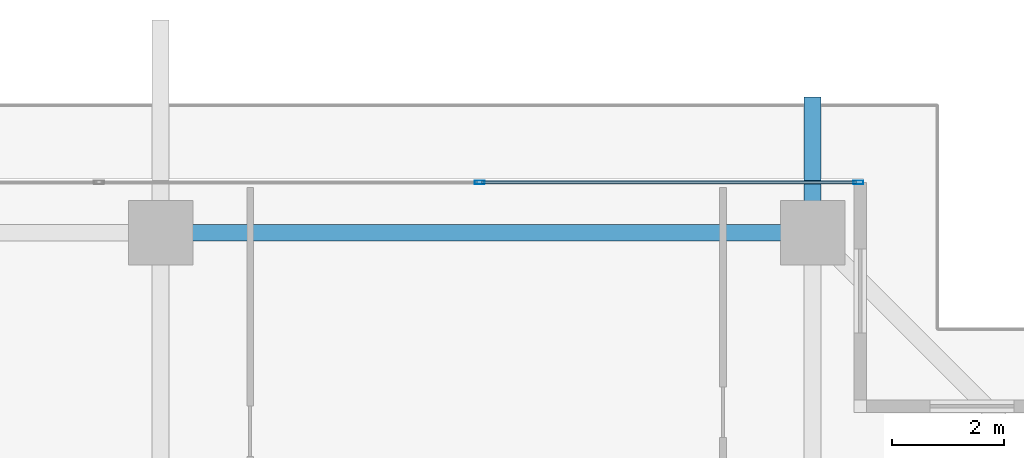
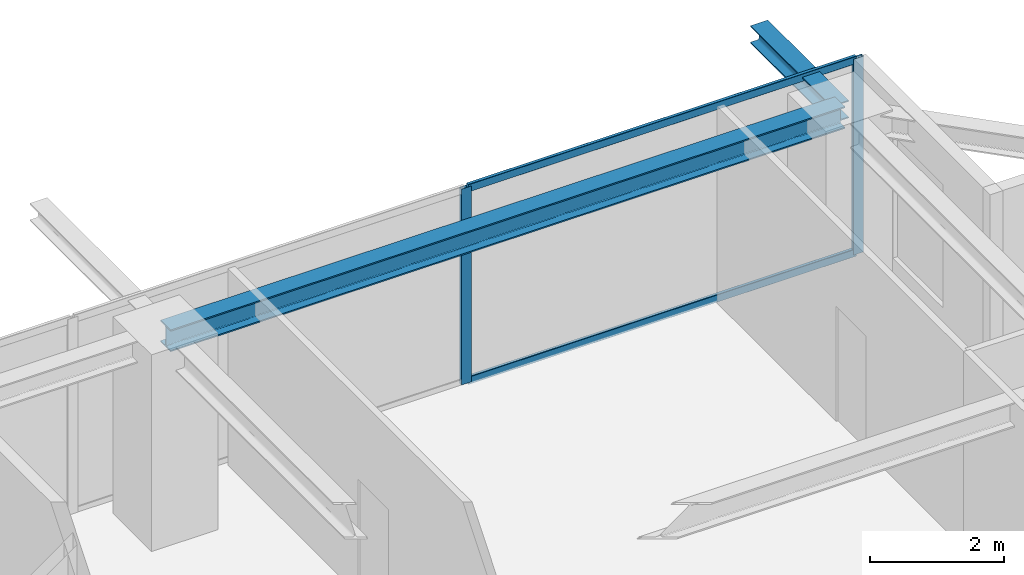
# One storey, part 24 of 37: 4 members, 2 beams, 1 element without a shape of its own.
"""IFC4 building model written with IfcOpenShell, lengths in metres."""

from ifc_helpers import new_model, si_unit, direction, frame, origin, origin_2d, place, context, subcontext, project, spatial, hollow_rectangle, i_section, extrude, source, transform, mapped, material, layer, layer_set, material_profile, profile_set, type_object, element, aggregate, save


model = new_model("IFC4")

# Units and contexts
model_context = context("Model", 3, precision=1e-05, world=origin(), true_north=direction((0.0, 1.0)))
body_context = subcontext(model_context, "Body", "Model", "MODEL_VIEW")
ifc_project = project(units=[si_unit("LENGTHUNIT", "METRE"), si_unit("AREAUNIT", "SQUARE_METRE"), si_unit("VOLUMEUNIT", "CUBIC_METRE"), si_unit("PLANEANGLEUNIT", "RADIAN"), si_unit("MASSUNIT", "GRAM", prefix="KILO")], contexts=[model_context])

# Site, building, storey
site_placement = place(None, origin())
site = spatial("IfcSite", under=ifc_project, at=site_placement, CompositionType="ELEMENT")
building_placement = place(site_placement, origin())
building = spatial("IfcBuilding", under=site, at=building_placement, Name="Serunith Strait Residences", CompositionType="ELEMENT")
storey_placement = place(building_placement, frame((0.0, 0.0, 275.89990234375)))
storey = spatial("IfcBuildingStorey", under=building, at=storey_placement, Name="L69", CompositionType="ELEMENT", Elevation=275.89990234375)

# Beams
ifc_material_1 = material(Name="Steel S355J2", Category="steel")
ifc_material_profile_1 = material_profile(ifc_material_1, i_section(OverallWidth=0.300048828125, OverallDepth=0.39990234375, WebThickness=0.013427734375, FlangeThickness=0.02392578125, FilletRadius=0.027099609375, at=origin_2d()), Name="HEB 400")
ifc_profile_set_1 = profile_set([ifc_material_profile_1], Name="Steel S355J2")
beam_type_1 = type_object("IfcBeamType", Name="BM-HEB400", PredefinedType="BEAM", material=ifc_profile_set_1)
shared_shape_1 = source(origin(), body_context, "Body", "SweptSolid", [
    extrude(i_section(OverallWidth=0.300048828125, OverallDepth=0.39990234375, WebThickness=0.013427734375, FlangeThickness=0.02392578125, FilletRadius=0.027099609375, at=origin_2d()), origin(), (0.0, 0.0, 1.0), 11.650146484375),
])
beam_1_placement = place(storey_placement, frame((48.550048828125, 48.300048828125, 3.38720703125), z_axis=(-1.0, 0.0, 0.0), x_axis=(0.0, -1.0, 0.0)))
element("IfcBeam", 1, at=beam_1_placement, inside=storey, type_object=beam_type_1, Name="L69 Perimeter Ring Beam 09", PredefinedType="BEAM", context=body_context, shape_type="MappedRepresentation", body=[
    mapped(shared_shape_1, transform((0.0, 0.0, 0.0), scale=1.0)),
])
ifc_material_profile_2 = material_profile(ifc_material_1, i_section(OverallWidth=0.300048828125, OverallDepth=0.320068359375, WebThickness=0.011474609375, FlangeThickness=0.0205078125, FilletRadius=0.027099609375, at=origin_2d()), Name="HEB 320")
ifc_profile_set_2 = profile_set([ifc_material_profile_2], Name="Steel S355J2")
beam_type_2 = type_object("IfcBeamType", Name="BM-HEB320", PredefinedType="BEAM", material=ifc_profile_set_2)
shared_shape_2 = source(origin(), body_context, "Body", "SweptSolid", [
    extrude(i_section(OverallWidth=0.300048828125, OverallDepth=0.320068359375, WebThickness=0.011474609375, FlangeThickness=0.0205078125, FilletRadius=0.027099609375, at=origin_2d()), origin(), (0.0, 0.0, 1.0), 2.4208984375),
])
beam_2_placement = place(storey_placement, frame((48.550048828125, 48.300048828125, 3.397216796875), z_axis=(0.0, 1.0, 0.0), x_axis=(-1.0, 0.0, 0.0)))
element("IfcBeam", 2, at=beam_2_placement, inside=storey, type_object=beam_type_2, Name="L70 Cantilevered Balcony Rib TC-N4", PredefinedType="BEAM", context=body_context, shape_type="MappedRepresentation", body=[
    mapped(shared_shape_2, transform((0.0, 0.0, 0.0), scale=1.0)),
])

# Curtain wall, members
ifc_material_2 = material(Name="Pale-Champagne Anodised Aluminium", Category="aluminium")
ifc_layer = layer(ifc_material_2, 0.199951171875, Name="Pale-Champagne Anodised Aluminium")
ifc_layer_set = layer_set([ifc_layer], Name="Pale-Champagne Anodised Aluminium")
curtain_wall_type = type_object("IfcCurtainWallType", Name="CW-SYS4", PredefinedType="NOTDEFINED", material=ifc_layer_set)
curtain_wall_placement = place(storey_placement, origin())
curtain_wall = element("IfcCurtainWall", 3, at=curtain_wall_placement, inside=storey, type_object=curtain_wall_type, Name="L69 N Unitised Fritted Curtain Wall", PredefinedType="NOTDEFINED")
ifc_material_profile_3 = material_profile(ifc_material_2, hollow_rectangle(XDim=0.06005859375, YDim=0.139892578125, WallThickness=0.00341796875, InnerFilletRadius=0.00537109375, OuterFilletRadius=0.0087890625, at=origin_2d()), Name="ALU 140x60x3.5")
ifc_profile_set_3 = profile_set([ifc_material_profile_3], Name="Pale-Champagne Anodised Aluminium")
member_type_1 = type_object("IfcMemberType", Name="CW-SYS4-TRAN", PredefinedType="USERDEFINED", material=ifc_profile_set_3)
shared_shape_3 = source(origin(), body_context, "Body", "SweptSolid", [
    extrude(hollow_rectangle(XDim=0.06005859375, YDim=0.139892578125, WallThickness=0.00341796875, InnerFilletRadius=0.00537109375, OuterFilletRadius=0.0087890625, at=origin_2d()), origin(), (0.0, 0.0, 1.0), 6.702392578125),
])
member_1_placement = place(storey_placement, frame((49.3349609375, 49.199951171875, 0.030029296875), z_axis=(-1.0, 0.0, 0.0), x_axis=(0.0, -1.0, 0.0)))
member_1 = element("IfcMember", 4, at=member_1_placement, type_object=member_type_1, Name="CW-4 transom 1.1", ObjectType="TRANSOM", PredefinedType="USERDEFINED", context=body_context, shape_type="MappedRepresentation", body=[
    mapped(shared_shape_3, transform((0.0, 0.0, 0.0), scale=1.0)),
])
member_2_placement = place(storey_placement, frame((49.3349609375, 49.199951171875, 3.545166015625), z_axis=(-1.0, 0.0, 0.0), x_axis=(0.0, -1.0, 0.0)))
member_2 = element("IfcMember", 5, at=member_2_placement, type_object=member_type_1, Name="CW-4 transom 1.2", ObjectType="TRANSOM", PredefinedType="USERDEFINED", context=body_context, shape_type="MappedRepresentation", body=[
    mapped(shared_shape_3, transform((0.0, 0.0, 0.0), scale=1.0)),
])
ifc_material_profile_4 = material_profile(ifc_material_2, hollow_rectangle(XDim=0.06494140625, YDim=0.179931640625, WallThickness=0.00341796875, InnerFilletRadius=0.00537109375, OuterFilletRadius=0.0087890625, at=origin_2d()), Name="ALU 180x65x3.5")
ifc_profile_set_4 = profile_set([ifc_material_profile_4], Name="Pale-Champagne Anodised Aluminium")
member_type_2 = type_object("IfcMemberType", Name="CW-SYS4-MULL", PredefinedType="MULLION", material=ifc_profile_set_4)
shared_shape_4 = source(origin(), body_context, "Body", "SweptSolid", [
    extrude(hollow_rectangle(XDim=0.06494140625, YDim=0.179931640625, WallThickness=0.00341796875, InnerFilletRadius=0.00537109375, OuterFilletRadius=0.0087890625, at=origin_2d()), origin(), (0.0, 0.0, 1.0), 3.5751953125),
])
member_3_placement = place(storey_placement, frame((49.367431640625, 49.199951171875, 0.0), z_axis=(0.0, 0.0, 1.0), x_axis=(0.0, -1.0, 0.0)))
member_3 = element("IfcMember", 6, at=member_3_placement, type_object=member_type_2, Name="CW-4 mullion 1", PredefinedType="MULLION", context=body_context, shape_type="MappedRepresentation", body=[
    mapped(shared_shape_4, transform((0.0, 0.0, 0.0), scale=1.0)),
])
member_4_placement = place(storey_placement, frame((42.60009765625, 49.199951171875, 0.0), z_axis=(0.0, 0.0, 1.0), x_axis=(0.0, -1.0, 0.0)))
member_4 = element("IfcMember", 7, at=member_4_placement, type_object=member_type_2, Name="CW-4 mullion 2", PredefinedType="MULLION", context=body_context, shape_type="MappedRepresentation", body=[
    mapped(shared_shape_4, transform((0.0, 0.0, 0.0), scale=1.0)),
])
aggregate(curtain_wall, [member_3, member_4, member_1, member_2])

save(model, "model.ifc")
